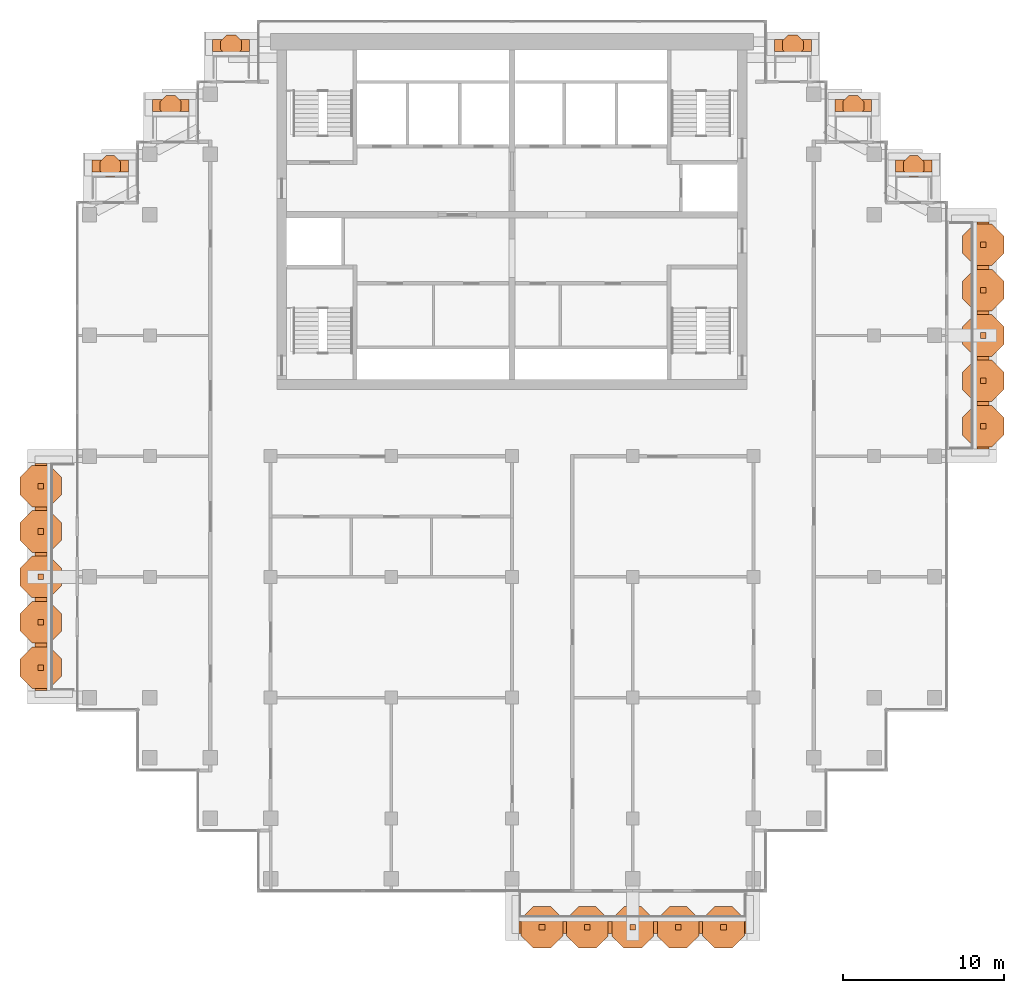
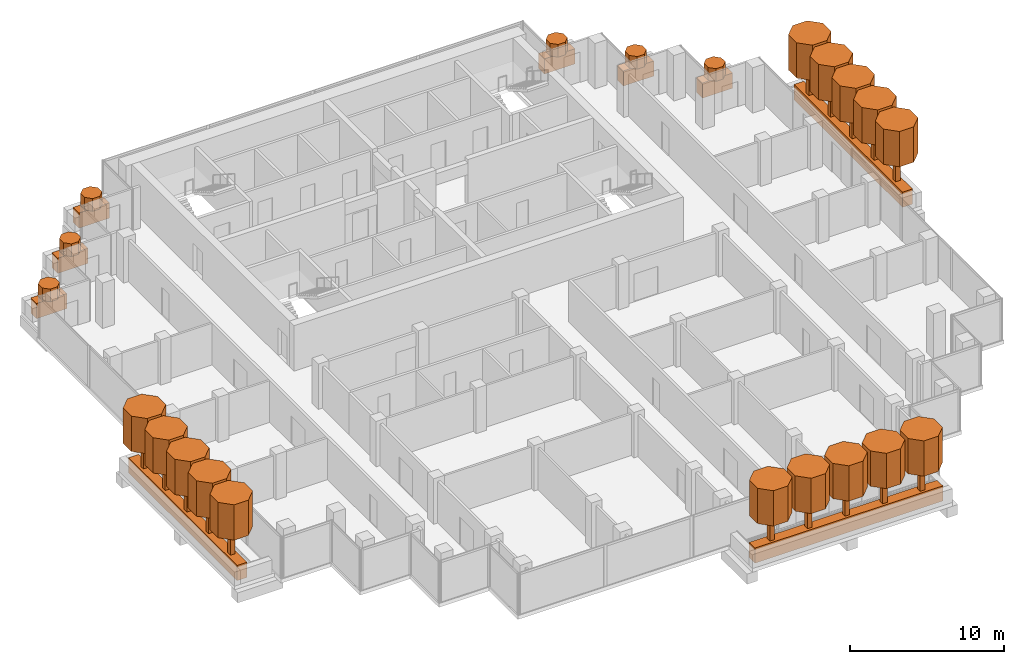
# One storey, part 18 of 18: 45 geographic elements.
"""IFC4 building model written with IfcOpenShell, lengths in metres."""

from ifc_helpers import new_model, si_unit, direction, frame, origin, origin_2d, place, context, subcontext, project, spatial, polyline, rectangle, outline, extrude, material, material_profile, profile_set, type_object, element, save


model = new_model("IFC4")

# Units and contexts
model_context = context("Model", 3, precision=1e-05, world=origin(), true_north=direction((0.0, 1.0)))
body_context = subcontext(model_context, "Body", "Model", "MODEL_VIEW")
ifc_project = project(units=[si_unit("LENGTHUNIT", "METRE"), si_unit("AREAUNIT", "SQUARE_METRE"), si_unit("VOLUMEUNIT", "CUBIC_METRE"), si_unit("PLANEANGLEUNIT", "RADIAN"), si_unit("MASSUNIT", "GRAM", prefix="KILO")], contexts=[model_context])

# Site, building, storey
site_placement = place(None, origin())
site = spatial("IfcSite", under=ifc_project, at=site_placement, CompositionType="ELEMENT")
building_placement = place(site_placement, origin())
building = spatial("IfcBuilding", under=site, at=building_placement, Name="Pilkhan Gate Tower", CompositionType="ELEMENT")
storey_placement = place(building_placement, frame((0.0, 0.0, 231.89990234375)))
storey = spatial("IfcBuildingStorey", under=building, at=storey_placement, Name="L60", CompositionType="ELEMENT", Elevation=231.89990234375)

# Geographic elements
ifc_material_1 = material(Name="Foliage")
ifc_material_profile_1 = material_profile(ifc_material_1, rectangle(XDim=0.75, YDim=1.199951171875, at=origin_2d()), Name="Bed 750x1200")
ifc_profile_set_1 = profile_set([ifc_material_profile_1], Name="Foliage")
geographic_element_type_1 = type_object("IfcGeographicElementType", Name="Planting bed PB1", PredefinedType="USERDEFINED", material=ifc_profile_set_1)
for number, where, z_axis, x_axis, name in (
    (1, (75.449951171875, 38.22509765625, 0.60009765625), (1.0, 0.0, 0.0), (0.0, 1.0, 0.0), "Balcony L60 S planting bed"),
    (2, (104.27490234375, 67.949951171875, 0.60009765625), (0.0, 1.0, 0.0), (-1.0, 0.0, 0.0), "Balcony L60 E planting bed"),
):
    element("IfcGeographicElement", number, at=place(storey_placement, frame(where, z_axis=z_axis, x_axis=x_axis)), inside=storey, type_object=geographic_element_type_1, Name=name, ObjectType="PLANTING BED", PredefinedType="USERDEFINED", context=body_context, shape_type="SweptSolid", body=[
        extrude(rectangle(XDim=0.75, YDim=1.199951171875, at=origin_2d()), origin(), (0.0, 0.0, 1.0), 14.10009765625),
    ])
for number, where, z_axis, x_axis, name in (
    (3, (56.39990234375, 93.02490234375, 0.60009765625), (1.0, 0.0, 0.0), (0.0, 1.0, 0.0), "Balcony L60 N planting bed"),
    (4, (91.300048828125, 93.02490234375, 0.60009765625), (1.0, 0.0, 0.0), (0.0, 1.0, 0.0), "Balcony L60 N planting bed"),
):
    element("IfcGeographicElement", number, at=place(storey_placement, frame(where, z_axis=z_axis, x_axis=x_axis)), inside=storey, type_object=geographic_element_type_1, Name=name, ObjectType="PLANTING BED", PredefinedType="USERDEFINED", context=body_context, shape_type="SweptSolid", body=[
        extrude(rectangle(XDim=0.75, YDim=1.199951171875, at=origin_2d()), origin(), (0.0, 0.0, 1.0), 2.300048828125),
    ])
for number, where, z_axis, x_axis, name in (
    (5, (52.64990234375, 89.27490234375, 0.60009765625), (1.0, 0.0, 0.0), (0.0, 1.0, 0.0), "Balcony L60 N planting bed"),
    (6, (48.89990234375, 85.52490234375, 0.60009765625), (1.0, 0.0, 0.0), (0.0, 1.0, 0.0), "Balcony L60 N planting bed"),
    (7, (95.070068359375, 89.27490234375, 0.60009765625), (1.0, 0.0, 0.0), (0.0, 1.0, 0.0), "Balcony L60 N planting bed"),
    (8, (98.820068359375, 85.52490234375, 0.60009765625), (1.0, 0.0, 0.0), (0.0, 1.0, 0.0), "Balcony L60 N planting bed"),
):
    element("IfcGeographicElement", number, at=place(storey_placement, frame(where, z_axis=z_axis, x_axis=x_axis)), inside=storey, type_object=geographic_element_type_1, Name=name, ObjectType="PLANTING BED", PredefinedType="USERDEFINED", context=body_context, shape_type="SweptSolid", body=[
        extrude(rectangle(XDim=0.75, YDim=1.199951171875, at=origin_2d()), origin(), (0.0, 0.0, 1.0), 2.280029296875),
    ])
geographic_element_placement = place(storey_placement, frame((45.72509765625, 52.949951171875, 0.60009765625), z_axis=(0.0, 1.0, 0.0), x_axis=(-1.0, 0.0, 0.0)))
element("IfcGeographicElement", 9, at=geographic_element_placement, inside=storey, type_object=geographic_element_type_1, Name="Balcony L60 W planting bed", ObjectType="PLANTING BED", PredefinedType="USERDEFINED", context=body_context, shape_type="SweptSolid", body=[
    extrude(rectangle(XDim=0.75, YDim=1.199951171875, at=origin_2d()), origin(), (0.0, 0.0, 1.0), 14.10009765625),
])
ifc_material_profile_2 = material_profile(ifc_material_1, outline(polyline([(0.646728515625, 0.267822265625), (0.267822265625, 0.646728515625), (-0.267822265625, 0.646728515625), (-0.646728515625, 0.267822265625), (-0.646728515625, -0.267822265625), (-0.267822265625, -0.646728515625), (0.267822265625, -0.646728515625), (0.646728515625, -0.267822265625), (0.646728515625, 0.267822265625)])), Name="Shrub D1.4")
ifc_profile_set_2 = profile_set([ifc_material_profile_2], Name="Foliage")
geographic_element_type_2 = type_object("IfcGeographicElementType", Name="Shrub SH07", PredefinedType="USERDEFINED", material=ifc_profile_set_2)
for number, where, z_axis, x_axis, name in (
    (10, (57.550048828125, 93.02490234375, 1.2001953125), (0.0, 0.0, 1.0), (1.0, 0.0, 0.0), "Shrub L60 N 1"),
    (11, (92.449951171875, 93.02490234375, 1.2001953125), (0.0, 0.0, 1.0), (1.0, 0.0, 0.0), "Shrub L60 N 1"),
    (12, (53.7900390625, 89.27490234375, 1.2001953125), (0.0, 0.0, 1.0), (1.0, 0.0, 0.0), "Shrub L60 N 1"),
    (13, (50.0400390625, 85.52490234375, 1.2001953125), (0.0, 0.0, 1.0), (1.0, 0.0, 0.0), "Shrub L60 N 1"),
    (14, (96.2099609375, 89.27490234375, 1.2001953125), (0.0, 0.0, 1.0), (1.0, 0.0, 0.0), "Shrub L60 N 1"),
    (15, (99.9599609375, 85.52490234375, 1.2001953125), (0.0, 0.0, 1.0), (1.0, 0.0, 0.0), "Shrub L60 N 1"),
):
    element("IfcGeographicElement", number, at=place(storey_placement, frame(where, z_axis=z_axis, x_axis=x_axis)), inside=storey, type_object=geographic_element_type_2, Name=name, ObjectType="SHRUB", PredefinedType="USERDEFINED", context=body_context, shape_type="SweptSolid", body=[
        extrude(outline(polyline([(0.646728515625, 0.267822265625), (0.267822265625, 0.646728515625), (-0.267822265625, 0.646728515625), (-0.646728515625, 0.267822265625), (-0.646728515625, -0.267822265625), (-0.267822265625, -0.646728515625), (0.267822265625, -0.646728515625), (0.646728515625, -0.267822265625), (0.646728515625, 0.267822265625)])), origin(), (0.0, 0.0, 1.0), 1.0),
    ])
ifc_material_profile_3 = material_profile(ifc_material_1, outline(polyline([(1.29345703125, 0.535888671875), (0.535888671875, 1.29345703125), (-0.535888671875, 1.29345703125), (-1.29345703125, 0.535888671875), (-1.29345703125, -0.535888671875), (-0.535888671875, -1.29345703125), (0.535888671875, -1.29345703125), (1.29345703125, -0.535888671875), (1.29345703125, 0.535888671875)])), Name="Canopy D2.8")
ifc_profile_set_3 = profile_set([ifc_material_profile_3], Name="Foliage")
geographic_element_type_3 = type_object("IfcGeographicElementType", Name="Tree canopy TC14", PredefinedType="USERDEFINED", material=ifc_profile_set_3)
for number, where, z_axis, x_axis, name in (
    (16, (76.860107421875, 38.22509765625, 3.2001953125), (0.0, 0.0, 1.0), (1.0, 0.0, 0.0), "Tree L60 S 1 canopy"),
    (17, (79.679931640625, 38.22509765625, 3.2001953125), (0.0, 0.0, 1.0), (1.0, 0.0, 0.0), "Tree L60 S 2 canopy"),
    (18, (82.5, 38.22509765625, 3.2001953125), (0.0, 0.0, 1.0), (1.0, 0.0, 0.0), "Tree L60 S 3 canopy"),
    (19, (85.320068359375, 38.22509765625, 3.2001953125), (0.0, 0.0, 1.0), (1.0, 0.0, 0.0), "Tree L60 S 4 canopy"),
    (20, (88.139892578125, 38.22509765625, 3.2001953125), (0.0, 0.0, 1.0), (1.0, 0.0, 0.0), "Tree L60 S 5 canopy"),
    (21, (104.27490234375, 69.360107421875, 3.2001953125), (0.0, 0.0, 1.0), (1.0, 0.0, 0.0), "Tree L60 E 1 canopy"),
    (22, (104.27490234375, 72.179931640625, 3.2001953125), (0.0, 0.0, 1.0), (1.0, 0.0, 0.0), "Tree L60 E 2 canopy"),
    (23, (104.27490234375, 75.0, 3.2001953125), (0.0, 0.0, 1.0), (1.0, 0.0, 0.0), "Tree L60 E 3 canopy"),
    (24, (104.27490234375, 77.820068359375, 3.2001953125), (0.0, 0.0, 1.0), (1.0, 0.0, 0.0), "Tree L60 E 4 canopy"),
    (25, (104.27490234375, 80.639892578125, 3.2001953125), (0.0, 0.0, 1.0), (1.0, 0.0, 0.0), "Tree L60 E 5 canopy"),
    (26, (45.72509765625, 54.360107421875, 3.2001953125), (0.0, 0.0, 1.0), (1.0, 0.0, 0.0), "Tree L60 W 1 canopy"),
    (27, (45.72509765625, 57.179931640625, 3.2001953125), (0.0, 0.0, 1.0), (1.0, 0.0, 0.0), "Tree L60 W 2 canopy"),
    (28, (45.72509765625, 60.0, 3.2001953125), (0.0, 0.0, 1.0), (1.0, 0.0, 0.0), "Tree L60 W 3 canopy"),
    (29, (45.72509765625, 62.820068359375, 3.2001953125), (0.0, 0.0, 1.0), (1.0, 0.0, 0.0), "Tree L60 W 4 canopy"),
    (30, (45.72509765625, 65.639892578125, 3.2001953125), (0.0, 0.0, 1.0), (1.0, 0.0, 0.0), "Tree L60 W 5 canopy"),
):
    element("IfcGeographicElement", number, at=place(storey_placement, frame(where, z_axis=z_axis, x_axis=x_axis)), inside=storey, type_object=geographic_element_type_3, Name=name, ObjectType="TREE", PredefinedType="USERDEFINED", context=body_context, shape_type="SweptSolid", body=[
        extrude(outline(polyline([(1.29345703125, 0.535888671875), (0.535888671875, 1.29345703125), (-0.535888671875, 1.29345703125), (-1.29345703125, 0.535888671875), (-1.29345703125, -0.535888671875), (-0.535888671875, -1.29345703125), (0.535888671875, -1.29345703125), (1.29345703125, -0.535888671875), (1.29345703125, 0.535888671875)])), origin(), (0.0, 0.0, 1.0), 2.7998046875),
    ])
ifc_material_2 = material(Name="Timber trunk", Category="wood")
geographic_element_type_4 = type_object("IfcGeographicElementType", Name="Tree trunk TT1", PredefinedType="USERDEFINED", material=ifc_material_2)
for number, where, z_axis, x_axis, name in (
    (31, (76.860107421875, 38.22509765625, 1.2001953125), (0.0, 0.0, 1.0), (1.0, 0.0, 0.0), "Tree L60 S 1 trunk"),
    (32, (79.679931640625, 38.22509765625, 1.2001953125), (0.0, 0.0, 1.0), (1.0, 0.0, 0.0), "Tree L60 S 2 trunk"),
    (33, (82.5, 38.22509765625, 1.2001953125), (0.0, 0.0, 1.0), (1.0, 0.0, 0.0), "Tree L60 S 3 trunk"),
    (34, (85.320068359375, 38.22509765625, 1.2001953125), (0.0, 0.0, 1.0), (1.0, 0.0, 0.0), "Tree L60 S 4 trunk"),
    (35, (88.139892578125, 38.22509765625, 1.2001953125), (0.0, 0.0, 1.0), (1.0, 0.0, 0.0), "Tree L60 S 5 trunk"),
    (36, (104.27490234375, 69.360107421875, 1.2001953125), (0.0, 0.0, 1.0), (1.0, 0.0, 0.0), "Tree L60 E 1 trunk"),
    (37, (104.27490234375, 72.179931640625, 1.2001953125), (0.0, 0.0, 1.0), (1.0, 0.0, 0.0), "Tree L60 E 2 trunk"),
    (38, (104.27490234375, 75.0, 1.2001953125), (0.0, 0.0, 1.0), (1.0, 0.0, 0.0), "Tree L60 E 3 trunk"),
    (39, (104.27490234375, 77.820068359375, 1.2001953125), (0.0, 0.0, 1.0), (1.0, 0.0, 0.0), "Tree L60 E 4 trunk"),
    (40, (104.27490234375, 80.639892578125, 1.2001953125), (0.0, 0.0, 1.0), (1.0, 0.0, 0.0), "Tree L60 E 5 trunk"),
    (41, (45.72509765625, 54.360107421875, 1.2001953125), (0.0, 0.0, 1.0), (1.0, 0.0, 0.0), "Tree L60 W 1 trunk"),
    (42, (45.72509765625, 57.179931640625, 1.2001953125), (0.0, 0.0, 1.0), (1.0, 0.0, 0.0), "Tree L60 W 2 trunk"),
    (43, (45.72509765625, 60.0, 1.2001953125), (0.0, 0.0, 1.0), (1.0, 0.0, 0.0), "Tree L60 W 3 trunk"),
    (44, (45.72509765625, 62.820068359375, 1.2001953125), (0.0, 0.0, 1.0), (1.0, 0.0, 0.0), "Tree L60 W 4 trunk"),
    (45, (45.72509765625, 65.639892578125, 1.2001953125), (0.0, 0.0, 1.0), (1.0, 0.0, 0.0), "Tree L60 W 5 trunk"),
):
    element("IfcGeographicElement", number, at=place(storey_placement, frame(where, z_axis=z_axis, x_axis=x_axis)), inside=storey, type_object=geographic_element_type_4, Name=name, ObjectType="TREE", PredefinedType="USERDEFINED", context=body_context, shape_type="SweptSolid", body=[
        extrude(rectangle(XDim=0.35009765625, YDim=0.35009765625, at=origin_2d()), origin(), (0.0, 0.0, 1.0), 2.0),
    ])

save(model, "model.ifc")
